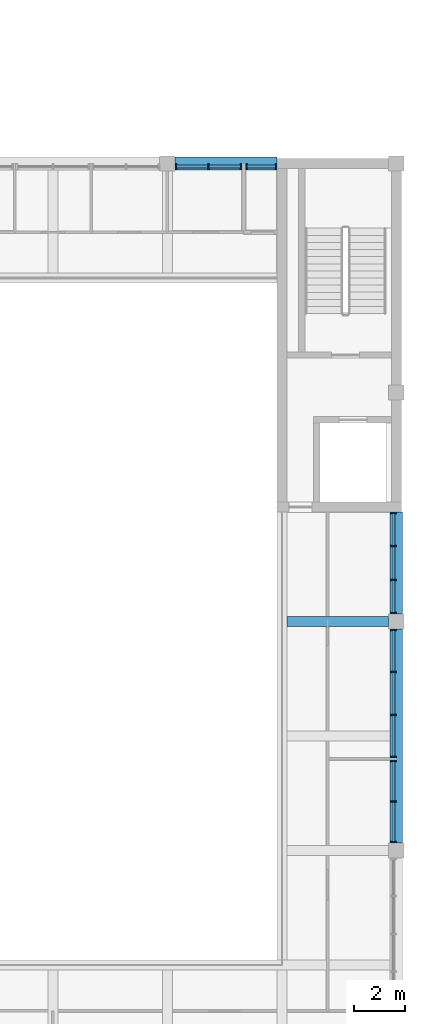
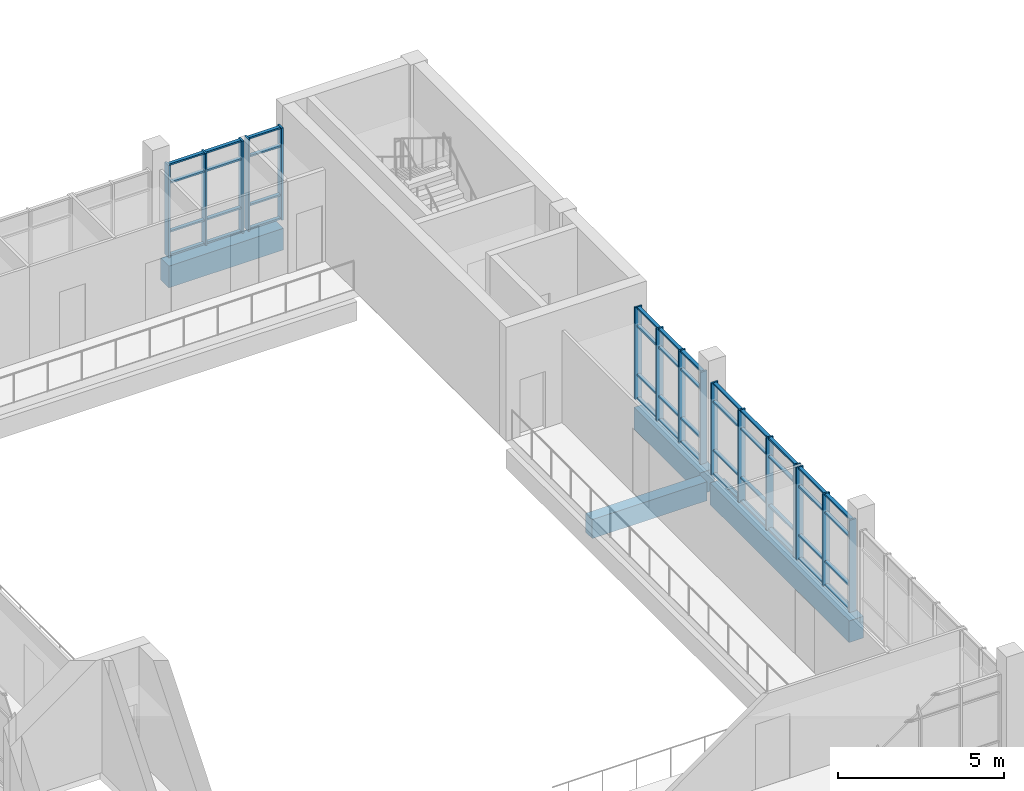
# One storey, part 13 of 88: 60 members, 4 beams, 5 elements without a shape of their own.
"""IFC4 building model written with IfcOpenShell, lengths in metres."""

from ifc_helpers import new_model, si_unit, direction, frame, origin, origin_2d, place, context, subcontext, project, spatial, rectangle, extrude, material, material_profile, profile_set, type_object, element, aggregate, save


model = new_model("IFC4")

# Units and contexts
model_context = context("Model", 3, precision=1e-05, world=origin(), true_north=direction((0.0, 1.0)))
body_context = subcontext(model_context, "Body", "Model", "MODEL_VIEW")
ifc_project = project(units=[si_unit("LENGTHUNIT", "METRE"), si_unit("AREAUNIT", "SQUARE_METRE"), si_unit("VOLUMEUNIT", "CUBIC_METRE"), si_unit("PLANEANGLEUNIT", "RADIAN"), si_unit("MASSUNIT", "GRAM", prefix="KILO")], contexts=[model_context])

# Site, building, storey
site_placement = place(None, origin())
site = spatial("IfcSite", under=ifc_project, at=site_placement, CompositionType="ELEMENT")
building_placement = place(site_placement, origin())
building = spatial("IfcBuilding", under=site, at=building_placement, Name="Merrow Basin Faculty of Sciences", CompositionType="ELEMENT")
storey_placement = place(building_placement, frame((0.0, 0.0, 9.0)))
storey = spatial("IfcBuildingStorey", under=building, at=storey_placement, Name="L02", CompositionType="ELEMENT", Elevation=9.0)

# Curtain wall, members
ifc_material_1 = material(Name="Aluminium alloy 6063", Category="aluminium")
curtain_wall_type = type_object("IfcCurtainWallType", Name="Atrium unitised curtain wall 240", PredefinedType="NOTDEFINED", material=ifc_material_1)
curtain_wall_1_placement = place(storey_placement, origin())
curtain_wall_1 = element("IfcCurtainWall", 1, at=curtain_wall_1_placement, inside=storey, type_object=curtain_wall_type, Name="N curtain wall L02 6", PredefinedType="NOTDEFINED")
ifc_material_2 = material(Name="Aluminium alloy 6063", Category="aluminium")
ifc_material_profile_1 = material_profile(ifc_material_2, rectangle(XDim=0.239990234375, YDim=0.06005859375, at=origin_2d()))
ifc_profile_set_1 = profile_set([ifc_material_profile_1], Name="Aluminium alloy 6063")
member_type_1 = type_object("IfcMemberType", Name="Aluminium mullion 60x240", PredefinedType="MULLION", material=ifc_profile_set_1)
member_1_placement = place(storey_placement, frame((63.330078125, 35.8798828125, 0.0), z_axis=(0.0, 0.0, 1.0), x_axis=(0.0, 1.0, 0.0)))
member_1 = element("IfcMember", 2, at=member_1_placement, type_object=member_type_1, Name="CW5 mullion 1", PredefinedType="MULLION", context=body_context, shape_type="SweptSolid", body=[
    extrude(rectangle(XDim=0.239990234375, YDim=0.06005859375, at=origin_2d()), origin(), (0.0, 0.0, 1.0), 3.39990234375),
])
member_2_placement = place(storey_placement, frame((64.612548828125, 35.8798828125, 0.0), z_axis=(0.0, 0.0, 1.0), x_axis=(0.0, 1.0, 0.0)))
member_2 = element("IfcMember", 3, at=member_2_placement, type_object=member_type_1, Name="CW5 mullion 2", PredefinedType="MULLION", context=body_context, shape_type="SweptSolid", body=[
    extrude(rectangle(XDim=0.239990234375, YDim=0.06005859375, at=origin_2d()), origin(), (0.0, 0.0, 1.0), 3.39990234375),
])
member_3_placement = place(storey_placement, frame((65.89501953125, 35.8798828125, 0.0), z_axis=(0.0, 0.0, 1.0), x_axis=(0.0, 1.0, 0.0)))
member_3 = element("IfcMember", 4, at=member_3_placement, type_object=member_type_1, Name="CW5 mullion 3", PredefinedType="MULLION", context=body_context, shape_type="SweptSolid", body=[
    extrude(rectangle(XDim=0.239990234375, YDim=0.06005859375, at=origin_2d()), origin(), (0.0, 0.0, 1.0), 3.39990234375),
])

curtain_wall_2_placement = place(storey_placement, origin())
curtain_wall_2 = element("IfcCurtainWall", 5, at=curtain_wall_2_placement, inside=storey, type_object=curtain_wall_type, Name="N curtain wall L02 7", PredefinedType="NOTDEFINED")
member_4_placement = place(storey_placement, frame((66.10498046875, 35.8798828125, 0.0), z_axis=(0.0, 0.0, 1.0), x_axis=(0.0, 1.0, 0.0)))
member_4 = element("IfcMember", 6, at=member_4_placement, type_object=member_type_1, Name="CW5 mullion 1", PredefinedType="MULLION", context=body_context, shape_type="SweptSolid", body=[
    extrude(rectangle(XDim=0.239990234375, YDim=0.06005859375, at=origin_2d()), origin(), (0.0, 0.0, 1.0), 3.39990234375),
])
member_5_placement = place(storey_placement, frame((67.27001953125, 35.8798828125, 0.0), z_axis=(0.0, 0.0, 1.0), x_axis=(0.0, 1.0, 0.0)))
member_5 = element("IfcMember", 7, at=member_5_placement, type_object=member_type_1, Name="CW5 mullion 2", PredefinedType="MULLION", context=body_context, shape_type="SweptSolid", body=[
    extrude(rectangle(XDim=0.239990234375, YDim=0.06005859375, at=origin_2d()), origin(), (0.0, 0.0, 1.0), 3.39990234375),
])

curtain_wall_3_placement = place(storey_placement, origin())
curtain_wall_3 = element("IfcCurtainWall", 8, at=curtain_wall_3_placement, inside=storey, type_object=curtain_wall_type, Name="E curtain wall L02 3", PredefinedType="NOTDEFINED")
member_6_placement = place(storey_placement, frame((71.8798828125, 9.330078125, 0.0), z_axis=(0.0, 0.0, 1.0), x_axis=(-1.0, 0.0, 0.0)))
member_6 = element("IfcMember", 9, at=member_6_placement, type_object=member_type_1, Name="CW5 mullion 1", PredefinedType="MULLION", context=body_context, shape_type="SweptSolid", body=[
    extrude(rectangle(XDim=0.239990234375, YDim=0.06005859375, at=origin_2d()), origin(), (0.0, 0.0, 1.0), 3.39990234375),
])
member_7_placement = place(storey_placement, frame((71.8798828125, 10.925048828125, 0.0), z_axis=(0.0, 0.0, 1.0), x_axis=(-1.0, 0.0, 0.0)))
member_7 = element("IfcMember", 10, at=member_7_placement, type_object=member_type_1, Name="CW5 mullion 2", PredefinedType="MULLION", context=body_context, shape_type="SweptSolid", body=[
    extrude(rectangle(XDim=0.239990234375, YDim=0.06005859375, at=origin_2d()), origin(), (0.0, 0.0, 1.0), 3.39990234375),
])
member_8_placement = place(storey_placement, frame((71.8798828125, 12.52001953125, 0.0), z_axis=(0.0, 0.0, 1.0), x_axis=(-1.0, 0.0, 0.0)))
member_8 = element("IfcMember", 11, at=member_8_placement, type_object=member_type_1, Name="CW5 mullion 3", PredefinedType="MULLION", context=body_context, shape_type="SweptSolid", body=[
    extrude(rectangle(XDim=0.239990234375, YDim=0.06005859375, at=origin_2d()), origin(), (0.0, 0.0, 1.0), 3.39990234375),
])

curtain_wall_4_placement = place(storey_placement, origin())
curtain_wall_4 = element("IfcCurtainWall", 12, at=curtain_wall_4_placement, inside=storey, type_object=curtain_wall_type, Name="E curtain wall L02 4", PredefinedType="NOTDEFINED")
member_9_placement = place(storey_placement, frame((71.8798828125, 12.679931640625, 0.0), z_axis=(0.0, 0.0, 1.0), x_axis=(-1.0, 0.0, 0.0)))
member_9 = element("IfcMember", 13, at=member_9_placement, type_object=member_type_1, Name="CW5 mullion 1", PredefinedType="MULLION", context=body_context, shape_type="SweptSolid", body=[
    extrude(rectangle(XDim=0.239990234375, YDim=0.06005859375, at=origin_2d()), origin(), (0.0, 0.0, 1.0), 3.39990234375),
])
member_10_placement = place(storey_placement, frame((71.8798828125, 14.333251953125, 0.0), z_axis=(0.0, 0.0, 1.0), x_axis=(-1.0, 0.0, 0.0)))
member_10 = element("IfcMember", 14, at=member_10_placement, type_object=member_type_1, Name="CW5 mullion 2", PredefinedType="MULLION", context=body_context, shape_type="SweptSolid", body=[
    extrude(rectangle(XDim=0.239990234375, YDim=0.06005859375, at=origin_2d()), origin(), (0.0, 0.0, 1.0), 3.39990234375),
])
member_11_placement = place(storey_placement, frame((71.8798828125, 16.0166015625, 0.0), z_axis=(0.0, 0.0, 1.0), x_axis=(-1.0, 0.0, 0.0)))
member_11 = element("IfcMember", 15, at=member_11_placement, type_object=member_type_1, Name="CW5 mullion 3", PredefinedType="MULLION", context=body_context, shape_type="SweptSolid", body=[
    extrude(rectangle(XDim=0.239990234375, YDim=0.06005859375, at=origin_2d()), origin(), (0.0, 0.0, 1.0), 3.39990234375),
])
member_12_placement = place(storey_placement, frame((71.8798828125, 17.669921875, 0.0), z_axis=(0.0, 0.0, 1.0), x_axis=(-1.0, 0.0, 0.0)))
member_12 = element("IfcMember", 16, at=member_12_placement, type_object=member_type_1, Name="CW5 mullion 4", PredefinedType="MULLION", context=body_context, shape_type="SweptSolid", body=[
    extrude(rectangle(XDim=0.239990234375, YDim=0.06005859375, at=origin_2d()), origin(), (0.0, 0.0, 1.0), 3.39990234375),
])

curtain_wall_5_placement = place(storey_placement, origin())
curtain_wall_5 = element("IfcCurtainWall", 17, at=curtain_wall_5_placement, inside=storey, type_object=curtain_wall_type, Name="E curtain wall L02 5", PredefinedType="NOTDEFINED")
member_13_placement = place(storey_placement, frame((71.8798828125, 18.330078125, 0.0), z_axis=(0.0, 0.0, 1.0), x_axis=(-1.0, 0.0, 0.0)))
member_13 = element("IfcMember", 18, at=member_13_placement, type_object=member_type_1, Name="CW5 mullion 1", PredefinedType="MULLION", context=body_context, shape_type="SweptSolid", body=[
    extrude(rectangle(XDim=0.239990234375, YDim=0.06005859375, at=origin_2d()), origin(), (0.0, 0.0, 1.0), 3.39990234375),
])
member_14_placement = place(storey_placement, frame((71.8798828125, 19.63330078125, 0.0), z_axis=(0.0, 0.0, 1.0), x_axis=(-1.0, 0.0, 0.0)))
member_14 = element("IfcMember", 19, at=member_14_placement, type_object=member_type_1, Name="CW5 mullion 2", PredefinedType="MULLION", context=body_context, shape_type="SweptSolid", body=[
    extrude(rectangle(XDim=0.239990234375, YDim=0.06005859375, at=origin_2d()), origin(), (0.0, 0.0, 1.0), 3.39990234375),
])
member_15_placement = place(storey_placement, frame((71.8798828125, 20.966552734375, 0.0), z_axis=(0.0, 0.0, 1.0), x_axis=(-1.0, 0.0, 0.0)))
member_15 = element("IfcMember", 20, at=member_15_placement, type_object=member_type_1, Name="CW5 mullion 3", PredefinedType="MULLION", context=body_context, shape_type="SweptSolid", body=[
    extrude(rectangle(XDim=0.239990234375, YDim=0.06005859375, at=origin_2d()), origin(), (0.0, 0.0, 1.0), 3.39990234375),
])
member_16_placement = place(storey_placement, frame((71.8798828125, 22.27001953125, 0.0), z_axis=(0.0, 0.0, 1.0), x_axis=(-1.0, 0.0, 0.0)))
member_16 = element("IfcMember", 21, at=member_16_placement, type_object=member_type_1, Name="CW5 mullion 4", PredefinedType="MULLION", context=body_context, shape_type="SweptSolid", body=[
    extrude(rectangle(XDim=0.239990234375, YDim=0.06005859375, at=origin_2d()), origin(), (0.0, 0.0, 1.0), 3.39990234375),
])

# Member
ifc_material_3 = material(Name="Aluminium alloy 6063", Category="aluminium")
ifc_material_profile_2 = material_profile(ifc_material_3, rectangle(XDim=0.1201171875, YDim=0.06005859375, at=origin_2d()))
ifc_profile_set_2 = profile_set([ifc_material_profile_2], Name="Aluminium alloy 6063")
member_type_2 = type_object("IfcMemberType", Name="Aluminium transom 60x120", PredefinedType="USERDEFINED", material=ifc_profile_set_2)
member_17_placement = place(storey_placement, frame((63.360107421875, 35.8798828125, 0.030029296875), z_axis=(1.0, 0.0, 0.0), x_axis=(0.0, 1.0, 0.0)))
member_17 = element("IfcMember", 22, at=member_17_placement, type_object=member_type_2, Name="CW5 transom 1.1", ObjectType="TRANSOM", PredefinedType="USERDEFINED", context=body_context, shape_type="SweptSolid", body=[
    extrude(rectangle(XDim=0.1201171875, YDim=0.06005859375, at=origin_2d()), origin(), (0.0, 0.0, 1.0), 1.222412109375),
])

member_18_placement = place(storey_placement, frame((63.360107421875, 35.8798828125, 0.89990234375), z_axis=(1.0, 0.0, 0.0), x_axis=(0.0, 1.0, 0.0)))
member_18 = element("IfcMember", 23, at=member_18_placement, type_object=member_type_2, Name="CW5 transom 1.2", ObjectType="TRANSOM", PredefinedType="USERDEFINED", context=body_context, shape_type="SweptSolid", body=[
    extrude(rectangle(XDim=0.1201171875, YDim=0.06005859375, at=origin_2d()), origin(), (0.0, 0.0, 1.0), 1.222412109375),
])

member_19_placement = place(storey_placement, frame((63.360107421875, 35.8798828125, 2.699951171875), z_axis=(1.0, 0.0, 0.0), x_axis=(0.0, 1.0, 0.0)))
member_19 = element("IfcMember", 24, at=member_19_placement, type_object=member_type_2, Name="CW5 transom 1.3", ObjectType="TRANSOM", PredefinedType="USERDEFINED", context=body_context, shape_type="SweptSolid", body=[
    extrude(rectangle(XDim=0.1201171875, YDim=0.06005859375, at=origin_2d()), origin(), (0.0, 0.0, 1.0), 1.222412109375),
])

member_20_placement = place(storey_placement, frame((63.360107421875, 35.8798828125, 3.3701171875), z_axis=(1.0, 0.0, 0.0), x_axis=(0.0, 1.0, 0.0)))
member_20 = element("IfcMember", 25, at=member_20_placement, type_object=member_type_2, Name="CW5 transom 1.4", ObjectType="TRANSOM", PredefinedType="USERDEFINED", context=body_context, shape_type="SweptSolid", body=[
    extrude(rectangle(XDim=0.1201171875, YDim=0.06005859375, at=origin_2d()), origin(), (0.0, 0.0, 1.0), 1.222412109375),
])

member_21_placement = place(storey_placement, frame((64.642578125, 35.8798828125, 0.030029296875), z_axis=(1.0, 0.0, 0.0), x_axis=(0.0, 1.0, 0.0)))
member_21 = element("IfcMember", 26, at=member_21_placement, type_object=member_type_2, Name="CW5 transom 2.1", ObjectType="TRANSOM", PredefinedType="USERDEFINED", context=body_context, shape_type="SweptSolid", body=[
    extrude(rectangle(XDim=0.1201171875, YDim=0.06005859375, at=origin_2d()), origin(), (0.0, 0.0, 1.0), 1.222412109375),
])

member_22_placement = place(storey_placement, frame((64.642578125, 35.8798828125, 0.89990234375), z_axis=(1.0, 0.0, 0.0), x_axis=(0.0, 1.0, 0.0)))
member_22 = element("IfcMember", 27, at=member_22_placement, type_object=member_type_2, Name="CW5 transom 2.2", ObjectType="TRANSOM", PredefinedType="USERDEFINED", context=body_context, shape_type="SweptSolid", body=[
    extrude(rectangle(XDim=0.1201171875, YDim=0.06005859375, at=origin_2d()), origin(), (0.0, 0.0, 1.0), 1.222412109375),
])

member_23_placement = place(storey_placement, frame((64.642578125, 35.8798828125, 2.699951171875), z_axis=(1.0, 0.0, 0.0), x_axis=(0.0, 1.0, 0.0)))
member_23 = element("IfcMember", 28, at=member_23_placement, type_object=member_type_2, Name="CW5 transom 2.3", ObjectType="TRANSOM", PredefinedType="USERDEFINED", context=body_context, shape_type="SweptSolid", body=[
    extrude(rectangle(XDim=0.1201171875, YDim=0.06005859375, at=origin_2d()), origin(), (0.0, 0.0, 1.0), 1.222412109375),
])

member_24_placement = place(storey_placement, frame((64.642578125, 35.8798828125, 3.3701171875), z_axis=(1.0, 0.0, 0.0), x_axis=(0.0, 1.0, 0.0)))
member_24 = element("IfcMember", 29, at=member_24_placement, type_object=member_type_2, Name="CW5 transom 2.4", ObjectType="TRANSOM", PredefinedType="USERDEFINED", context=body_context, shape_type="SweptSolid", body=[
    extrude(rectangle(XDim=0.1201171875, YDim=0.06005859375, at=origin_2d()), origin(), (0.0, 0.0, 1.0), 1.222412109375),
])

aggregate(curtain_wall_1, [member_1, member_2, member_3, member_17, member_18, member_19, member_20, member_21, member_22, member_23, member_24])

member_25_placement = place(storey_placement, frame((66.135009765625, 35.8798828125, 0.030029296875), z_axis=(1.0, 0.0, 0.0), x_axis=(0.0, 1.0, 0.0)))
member_25 = element("IfcMember", 30, at=member_25_placement, type_object=member_type_2, Name="CW5 transom 1.1", ObjectType="TRANSOM", PredefinedType="USERDEFINED", context=body_context, shape_type="SweptSolid", body=[
    extrude(rectangle(XDim=0.1201171875, YDim=0.06005859375, at=origin_2d()), origin(), (0.0, 0.0, 1.0), 1.10498046875),
])

member_26_placement = place(storey_placement, frame((66.135009765625, 35.8798828125, 0.89990234375), z_axis=(1.0, 0.0, 0.0), x_axis=(0.0, 1.0, 0.0)))
member_26 = element("IfcMember", 31, at=member_26_placement, type_object=member_type_2, Name="CW5 transom 1.2", ObjectType="TRANSOM", PredefinedType="USERDEFINED", context=body_context, shape_type="SweptSolid", body=[
    extrude(rectangle(XDim=0.1201171875, YDim=0.06005859375, at=origin_2d()), origin(), (0.0, 0.0, 1.0), 1.10498046875),
])

member_27_placement = place(storey_placement, frame((66.135009765625, 35.8798828125, 2.699951171875), z_axis=(1.0, 0.0, 0.0), x_axis=(0.0, 1.0, 0.0)))
member_27 = element("IfcMember", 32, at=member_27_placement, type_object=member_type_2, Name="CW5 transom 1.3", ObjectType="TRANSOM", PredefinedType="USERDEFINED", context=body_context, shape_type="SweptSolid", body=[
    extrude(rectangle(XDim=0.1201171875, YDim=0.06005859375, at=origin_2d()), origin(), (0.0, 0.0, 1.0), 1.10498046875),
])

member_28_placement = place(storey_placement, frame((66.135009765625, 35.8798828125, 3.3701171875), z_axis=(1.0, 0.0, 0.0), x_axis=(0.0, 1.0, 0.0)))
member_28 = element("IfcMember", 33, at=member_28_placement, type_object=member_type_2, Name="CW5 transom 1.4", ObjectType="TRANSOM", PredefinedType="USERDEFINED", context=body_context, shape_type="SweptSolid", body=[
    extrude(rectangle(XDim=0.1201171875, YDim=0.06005859375, at=origin_2d()), origin(), (0.0, 0.0, 1.0), 1.10498046875),
])

aggregate(curtain_wall_2, [member_4, member_5, member_25, member_26, member_27, member_28])

member_29_placement = place(storey_placement, frame((71.8798828125, 9.360107421875, 0.030029296875), z_axis=(0.0, 1.0, 0.0), x_axis=(-1.0, 0.0, 0.0)))
member_29 = element("IfcMember", 34, at=member_29_placement, type_object=member_type_2, Name="CW5 transom 1.1", ObjectType="TRANSOM", PredefinedType="USERDEFINED", context=body_context, shape_type="SweptSolid", body=[
    extrude(rectangle(XDim=0.1201171875, YDim=0.06005859375, at=origin_2d()), origin(), (0.0, 0.0, 1.0), 1.534912109375),
])

member_30_placement = place(storey_placement, frame((71.8798828125, 9.360107421875, 0.89990234375), z_axis=(0.0, 1.0, 0.0), x_axis=(-1.0, 0.0, 0.0)))
member_30 = element("IfcMember", 35, at=member_30_placement, type_object=member_type_2, Name="CW5 transom 1.2", ObjectType="TRANSOM", PredefinedType="USERDEFINED", context=body_context, shape_type="SweptSolid", body=[
    extrude(rectangle(XDim=0.1201171875, YDim=0.06005859375, at=origin_2d()), origin(), (0.0, 0.0, 1.0), 1.534912109375),
])

member_31_placement = place(storey_placement, frame((71.8798828125, 9.360107421875, 2.699951171875), z_axis=(0.0, 1.0, 0.0), x_axis=(-1.0, 0.0, 0.0)))
member_31 = element("IfcMember", 36, at=member_31_placement, type_object=member_type_2, Name="CW5 transom 1.3", ObjectType="TRANSOM", PredefinedType="USERDEFINED", context=body_context, shape_type="SweptSolid", body=[
    extrude(rectangle(XDim=0.1201171875, YDim=0.06005859375, at=origin_2d()), origin(), (0.0, 0.0, 1.0), 1.534912109375),
])

member_32_placement = place(storey_placement, frame((71.8798828125, 9.360107421875, 3.3701171875), z_axis=(0.0, 1.0, 0.0), x_axis=(-1.0, 0.0, 0.0)))
member_32 = element("IfcMember", 37, at=member_32_placement, type_object=member_type_2, Name="CW5 transom 1.4", ObjectType="TRANSOM", PredefinedType="USERDEFINED", context=body_context, shape_type="SweptSolid", body=[
    extrude(rectangle(XDim=0.1201171875, YDim=0.06005859375, at=origin_2d()), origin(), (0.0, 0.0, 1.0), 1.534912109375),
])

member_33_placement = place(storey_placement, frame((71.8798828125, 10.955078125, 0.030029296875), z_axis=(0.0, 1.0, 0.0), x_axis=(-1.0, 0.0, 0.0)))
member_33 = element("IfcMember", 38, at=member_33_placement, type_object=member_type_2, Name="CW5 transom 2.1", ObjectType="TRANSOM", PredefinedType="USERDEFINED", context=body_context, shape_type="SweptSolid", body=[
    extrude(rectangle(XDim=0.1201171875, YDim=0.06005859375, at=origin_2d()), origin(), (0.0, 0.0, 1.0), 1.534912109375),
])

member_34_placement = place(storey_placement, frame((71.8798828125, 10.955078125, 0.89990234375), z_axis=(0.0, 1.0, 0.0), x_axis=(-1.0, 0.0, 0.0)))
member_34 = element("IfcMember", 39, at=member_34_placement, type_object=member_type_2, Name="CW5 transom 2.2", ObjectType="TRANSOM", PredefinedType="USERDEFINED", context=body_context, shape_type="SweptSolid", body=[
    extrude(rectangle(XDim=0.1201171875, YDim=0.06005859375, at=origin_2d()), origin(), (0.0, 0.0, 1.0), 1.534912109375),
])

member_35_placement = place(storey_placement, frame((71.8798828125, 10.955078125, 2.699951171875), z_axis=(0.0, 1.0, 0.0), x_axis=(-1.0, 0.0, 0.0)))
member_35 = element("IfcMember", 40, at=member_35_placement, type_object=member_type_2, Name="CW5 transom 2.3", ObjectType="TRANSOM", PredefinedType="USERDEFINED", context=body_context, shape_type="SweptSolid", body=[
    extrude(rectangle(XDim=0.1201171875, YDim=0.06005859375, at=origin_2d()), origin(), (0.0, 0.0, 1.0), 1.534912109375),
])

member_36_placement = place(storey_placement, frame((71.8798828125, 10.955078125, 3.3701171875), z_axis=(0.0, 1.0, 0.0), x_axis=(-1.0, 0.0, 0.0)))
member_36 = element("IfcMember", 41, at=member_36_placement, type_object=member_type_2, Name="CW5 transom 2.4", ObjectType="TRANSOM", PredefinedType="USERDEFINED", context=body_context, shape_type="SweptSolid", body=[
    extrude(rectangle(XDim=0.1201171875, YDim=0.06005859375, at=origin_2d()), origin(), (0.0, 0.0, 1.0), 1.534912109375),
])

aggregate(curtain_wall_3, [member_6, member_7, member_8, member_29, member_30, member_31, member_32, member_33, member_34, member_35, member_36])

member_37_placement = place(storey_placement, frame((71.8798828125, 12.7099609375, 0.030029296875), z_axis=(0.0, 1.0, 0.0), x_axis=(-1.0, 0.0, 0.0)))
member_37 = element("IfcMember", 42, at=member_37_placement, type_object=member_type_2, Name="CW5 transom 1.1", ObjectType="TRANSOM", PredefinedType="USERDEFINED", context=body_context, shape_type="SweptSolid", body=[
    extrude(rectangle(XDim=0.1201171875, YDim=0.06005859375, at=origin_2d()), origin(), (0.0, 0.0, 1.0), 1.59326171875),
])

member_38_placement = place(storey_placement, frame((71.8798828125, 12.7099609375, 0.89990234375), z_axis=(0.0, 1.0, 0.0), x_axis=(-1.0, 0.0, 0.0)))
member_38 = element("IfcMember", 43, at=member_38_placement, type_object=member_type_2, Name="CW5 transom 1.2", ObjectType="TRANSOM", PredefinedType="USERDEFINED", context=body_context, shape_type="SweptSolid", body=[
    extrude(rectangle(XDim=0.1201171875, YDim=0.06005859375, at=origin_2d()), origin(), (0.0, 0.0, 1.0), 1.59326171875),
])

member_39_placement = place(storey_placement, frame((71.8798828125, 12.7099609375, 2.699951171875), z_axis=(0.0, 1.0, 0.0), x_axis=(-1.0, 0.0, 0.0)))
member_39 = element("IfcMember", 44, at=member_39_placement, type_object=member_type_2, Name="CW5 transom 1.3", ObjectType="TRANSOM", PredefinedType="USERDEFINED", context=body_context, shape_type="SweptSolid", body=[
    extrude(rectangle(XDim=0.1201171875, YDim=0.06005859375, at=origin_2d()), origin(), (0.0, 0.0, 1.0), 1.59326171875),
])

member_40_placement = place(storey_placement, frame((71.8798828125, 12.7099609375, 3.3701171875), z_axis=(0.0, 1.0, 0.0), x_axis=(-1.0, 0.0, 0.0)))
member_40 = element("IfcMember", 45, at=member_40_placement, type_object=member_type_2, Name="CW5 transom 1.4", ObjectType="TRANSOM", PredefinedType="USERDEFINED", context=body_context, shape_type="SweptSolid", body=[
    extrude(rectangle(XDim=0.1201171875, YDim=0.06005859375, at=origin_2d()), origin(), (0.0, 0.0, 1.0), 1.59326171875),
])

member_41_placement = place(storey_placement, frame((71.8798828125, 14.36328125, 0.030029296875), z_axis=(0.0, 1.0, 0.0), x_axis=(-1.0, 0.0, 0.0)))
member_41 = element("IfcMember", 46, at=member_41_placement, type_object=member_type_2, Name="CW5 transom 2.1", ObjectType="TRANSOM", PredefinedType="USERDEFINED", context=body_context, shape_type="SweptSolid", body=[
    extrude(rectangle(XDim=0.1201171875, YDim=0.06005859375, at=origin_2d()), origin(), (0.0, 0.0, 1.0), 1.623291015625),
])

member_42_placement = place(storey_placement, frame((71.8798828125, 14.36328125, 0.89990234375), z_axis=(0.0, 1.0, 0.0), x_axis=(-1.0, 0.0, 0.0)))
member_42 = element("IfcMember", 47, at=member_42_placement, type_object=member_type_2, Name="CW5 transom 2.2", ObjectType="TRANSOM", PredefinedType="USERDEFINED", context=body_context, shape_type="SweptSolid", body=[
    extrude(rectangle(XDim=0.1201171875, YDim=0.06005859375, at=origin_2d()), origin(), (0.0, 0.0, 1.0), 1.623291015625),
])

member_43_placement = place(storey_placement, frame((71.8798828125, 14.36328125, 2.699951171875), z_axis=(0.0, 1.0, 0.0), x_axis=(-1.0, 0.0, 0.0)))
member_43 = element("IfcMember", 48, at=member_43_placement, type_object=member_type_2, Name="CW5 transom 2.3", ObjectType="TRANSOM", PredefinedType="USERDEFINED", context=body_context, shape_type="SweptSolid", body=[
    extrude(rectangle(XDim=0.1201171875, YDim=0.06005859375, at=origin_2d()), origin(), (0.0, 0.0, 1.0), 1.623291015625),
])

member_44_placement = place(storey_placement, frame((71.8798828125, 14.36328125, 3.3701171875), z_axis=(0.0, 1.0, 0.0), x_axis=(-1.0, 0.0, 0.0)))
member_44 = element("IfcMember", 49, at=member_44_placement, type_object=member_type_2, Name="CW5 transom 2.4", ObjectType="TRANSOM", PredefinedType="USERDEFINED", context=body_context, shape_type="SweptSolid", body=[
    extrude(rectangle(XDim=0.1201171875, YDim=0.06005859375, at=origin_2d()), origin(), (0.0, 0.0, 1.0), 1.623291015625),
])

member_45_placement = place(storey_placement, frame((71.8798828125, 16.046630859375, 0.030029296875), z_axis=(0.0, 1.0, 0.0), x_axis=(-1.0, 0.0, 0.0)))
member_45 = element("IfcMember", 50, at=member_45_placement, type_object=member_type_2, Name="CW5 transom 3.1", ObjectType="TRANSOM", PredefinedType="USERDEFINED", context=body_context, shape_type="SweptSolid", body=[
    extrude(rectangle(XDim=0.1201171875, YDim=0.06005859375, at=origin_2d()), origin(), (0.0, 0.0, 1.0), 1.59326171875),
])

member_46_placement = place(storey_placement, frame((71.8798828125, 16.046630859375, 0.89990234375), z_axis=(0.0, 1.0, 0.0), x_axis=(-1.0, 0.0, 0.0)))
member_46 = element("IfcMember", 51, at=member_46_placement, type_object=member_type_2, Name="CW5 transom 3.2", ObjectType="TRANSOM", PredefinedType="USERDEFINED", context=body_context, shape_type="SweptSolid", body=[
    extrude(rectangle(XDim=0.1201171875, YDim=0.06005859375, at=origin_2d()), origin(), (0.0, 0.0, 1.0), 1.59326171875),
])

member_47_placement = place(storey_placement, frame((71.8798828125, 16.046630859375, 2.699951171875), z_axis=(0.0, 1.0, 0.0), x_axis=(-1.0, 0.0, 0.0)))
member_47 = element("IfcMember", 52, at=member_47_placement, type_object=member_type_2, Name="CW5 transom 3.3", ObjectType="TRANSOM", PredefinedType="USERDEFINED", context=body_context, shape_type="SweptSolid", body=[
    extrude(rectangle(XDim=0.1201171875, YDim=0.06005859375, at=origin_2d()), origin(), (0.0, 0.0, 1.0), 1.59326171875),
])

member_48_placement = place(storey_placement, frame((71.8798828125, 16.046630859375, 3.3701171875), z_axis=(0.0, 1.0, 0.0), x_axis=(-1.0, 0.0, 0.0)))
member_48 = element("IfcMember", 53, at=member_48_placement, type_object=member_type_2, Name="CW5 transom 3.4", ObjectType="TRANSOM", PredefinedType="USERDEFINED", context=body_context, shape_type="SweptSolid", body=[
    extrude(rectangle(XDim=0.1201171875, YDim=0.06005859375, at=origin_2d()), origin(), (0.0, 0.0, 1.0), 1.59326171875),
])

aggregate(curtain_wall_4, [member_9, member_10, member_11, member_12, member_37, member_38, member_39, member_40, member_41, member_42, member_43, member_44, member_45, member_46, member_47, member_48])

member_49_placement = place(storey_placement, frame((71.8798828125, 18.360107421875, 0.030029296875), z_axis=(0.0, 1.0, 0.0), x_axis=(-1.0, 0.0, 0.0)))
member_49 = element("IfcMember", 54, at=member_49_placement, type_object=member_type_2, Name="CW5 transom 1.1", ObjectType="TRANSOM", PredefinedType="USERDEFINED", context=body_context, shape_type="SweptSolid", body=[
    extrude(rectangle(XDim=0.1201171875, YDim=0.06005859375, at=origin_2d()), origin(), (0.0, 0.0, 1.0), 1.2431640625),
])

member_50_placement = place(storey_placement, frame((71.8798828125, 18.360107421875, 0.89990234375), z_axis=(0.0, 1.0, 0.0), x_axis=(-1.0, 0.0, 0.0)))
member_50 = element("IfcMember", 55, at=member_50_placement, type_object=member_type_2, Name="CW5 transom 1.2", ObjectType="TRANSOM", PredefinedType="USERDEFINED", context=body_context, shape_type="SweptSolid", body=[
    extrude(rectangle(XDim=0.1201171875, YDim=0.06005859375, at=origin_2d()), origin(), (0.0, 0.0, 1.0), 1.2431640625),
])

member_51_placement = place(storey_placement, frame((71.8798828125, 18.360107421875, 2.699951171875), z_axis=(0.0, 1.0, 0.0), x_axis=(-1.0, 0.0, 0.0)))
member_51 = element("IfcMember", 56, at=member_51_placement, type_object=member_type_2, Name="CW5 transom 1.3", ObjectType="TRANSOM", PredefinedType="USERDEFINED", context=body_context, shape_type="SweptSolid", body=[
    extrude(rectangle(XDim=0.1201171875, YDim=0.06005859375, at=origin_2d()), origin(), (0.0, 0.0, 1.0), 1.2431640625),
])

member_52_placement = place(storey_placement, frame((71.8798828125, 18.360107421875, 3.3701171875), z_axis=(0.0, 1.0, 0.0), x_axis=(-1.0, 0.0, 0.0)))
member_52 = element("IfcMember", 57, at=member_52_placement, type_object=member_type_2, Name="CW5 transom 1.4", ObjectType="TRANSOM", PredefinedType="USERDEFINED", context=body_context, shape_type="SweptSolid", body=[
    extrude(rectangle(XDim=0.1201171875, YDim=0.06005859375, at=origin_2d()), origin(), (0.0, 0.0, 1.0), 1.2431640625),
])

member_53_placement = place(storey_placement, frame((71.8798828125, 19.663330078125, 0.030029296875), z_axis=(0.0, 1.0, 0.0), x_axis=(-1.0, 0.0, 0.0)))
member_53 = element("IfcMember", 58, at=member_53_placement, type_object=member_type_2, Name="CW5 transom 2.1", ObjectType="TRANSOM", PredefinedType="USERDEFINED", context=body_context, shape_type="SweptSolid", body=[
    extrude(rectangle(XDim=0.1201171875, YDim=0.06005859375, at=origin_2d()), origin(), (0.0, 0.0, 1.0), 1.2734375),
])

member_54_placement = place(storey_placement, frame((71.8798828125, 19.663330078125, 0.89990234375), z_axis=(0.0, 1.0, 0.0), x_axis=(-1.0, 0.0, 0.0)))
member_54 = element("IfcMember", 59, at=member_54_placement, type_object=member_type_2, Name="CW5 transom 2.2", ObjectType="TRANSOM", PredefinedType="USERDEFINED", context=body_context, shape_type="SweptSolid", body=[
    extrude(rectangle(XDim=0.1201171875, YDim=0.06005859375, at=origin_2d()), origin(), (0.0, 0.0, 1.0), 1.2734375),
])

member_55_placement = place(storey_placement, frame((71.8798828125, 19.663330078125, 2.699951171875), z_axis=(0.0, 1.0, 0.0), x_axis=(-1.0, 0.0, 0.0)))
member_55 = element("IfcMember", 60, at=member_55_placement, type_object=member_type_2, Name="CW5 transom 2.3", ObjectType="TRANSOM", PredefinedType="USERDEFINED", context=body_context, shape_type="SweptSolid", body=[
    extrude(rectangle(XDim=0.1201171875, YDim=0.06005859375, at=origin_2d()), origin(), (0.0, 0.0, 1.0), 1.2734375),
])

member_56_placement = place(storey_placement, frame((71.8798828125, 19.663330078125, 3.3701171875), z_axis=(0.0, 1.0, 0.0), x_axis=(-1.0, 0.0, 0.0)))
member_56 = element("IfcMember", 61, at=member_56_placement, type_object=member_type_2, Name="CW5 transom 2.4", ObjectType="TRANSOM", PredefinedType="USERDEFINED", context=body_context, shape_type="SweptSolid", body=[
    extrude(rectangle(XDim=0.1201171875, YDim=0.06005859375, at=origin_2d()), origin(), (0.0, 0.0, 1.0), 1.2734375),
])

member_57_placement = place(storey_placement, frame((71.8798828125, 20.99658203125, 0.030029296875), z_axis=(0.0, 1.0, 0.0), x_axis=(-1.0, 0.0, 0.0)))
member_57 = element("IfcMember", 62, at=member_57_placement, type_object=member_type_2, Name="CW5 transom 3.1", ObjectType="TRANSOM", PredefinedType="USERDEFINED", context=body_context, shape_type="SweptSolid", body=[
    extrude(rectangle(XDim=0.1201171875, YDim=0.06005859375, at=origin_2d()), origin(), (0.0, 0.0, 1.0), 1.243408203125),
])

member_58_placement = place(storey_placement, frame((71.8798828125, 20.99658203125, 0.89990234375), z_axis=(0.0, 1.0, 0.0), x_axis=(-1.0, 0.0, 0.0)))
member_58 = element("IfcMember", 63, at=member_58_placement, type_object=member_type_2, Name="CW5 transom 3.2", ObjectType="TRANSOM", PredefinedType="USERDEFINED", context=body_context, shape_type="SweptSolid", body=[
    extrude(rectangle(XDim=0.1201171875, YDim=0.06005859375, at=origin_2d()), origin(), (0.0, 0.0, 1.0), 1.243408203125),
])

member_59_placement = place(storey_placement, frame((71.8798828125, 20.99658203125, 2.699951171875), z_axis=(0.0, 1.0, 0.0), x_axis=(-1.0, 0.0, 0.0)))
member_59 = element("IfcMember", 64, at=member_59_placement, type_object=member_type_2, Name="CW5 transom 3.3", ObjectType="TRANSOM", PredefinedType="USERDEFINED", context=body_context, shape_type="SweptSolid", body=[
    extrude(rectangle(XDim=0.1201171875, YDim=0.06005859375, at=origin_2d()), origin(), (0.0, 0.0, 1.0), 1.243408203125),
])

member_60_placement = place(storey_placement, frame((71.8798828125, 20.99658203125, 3.3701171875), z_axis=(0.0, 1.0, 0.0), x_axis=(-1.0, 0.0, 0.0)))
member_60 = element("IfcMember", 65, at=member_60_placement, type_object=member_type_2, Name="CW5 transom 3.4", ObjectType="TRANSOM", PredefinedType="USERDEFINED", context=body_context, shape_type="SweptSolid", body=[
    extrude(rectangle(XDim=0.1201171875, YDim=0.06005859375, at=origin_2d()), origin(), (0.0, 0.0, 1.0), 1.243408203125),
])

aggregate(curtain_wall_5, [member_13, member_14, member_15, member_16, member_49, member_50, member_51, member_52, member_53, member_54, member_55, member_56, member_57, member_58, member_59, member_60])

# Beams
ifc_material_4 = material(Name="Concrete C40/50", Category="concrete")
ifc_material_profile_3 = material_profile(ifc_material_4, rectangle(XDim=0.5, YDim=0.800048828125, at=origin_2d()))
ifc_profile_set_3 = profile_set([ifc_material_profile_3], Name="Concrete C40/50")
beam_type_1 = type_object("IfcBeamType", Name="Beam RC500x800 C40/50", PredefinedType="BEAM", material=ifc_profile_set_3)
beam_1_placement = place(storey_placement, frame((63.300048828125, 36.0, -0.699951171875), z_axis=(1.0, 0.0, 0.0), x_axis=(0.0, 1.0, 0.0)))
element("IfcBeam", 66, at=beam_1_placement, inside=storey, type_object=beam_type_1, Name="B4 L02 006", PredefinedType="BEAM", context=body_context, shape_type="SweptSolid", body=[
    extrude(rectangle(XDim=0.5, YDim=0.800048828125, at=origin_2d()), origin(), (0.0, 0.0, 1.0), 4.0),
])
beam_2_placement = place(storey_placement, frame((72.0, 9.300048828125, -0.699951171875), z_axis=(0.0, 1.0, 0.0), x_axis=(-1.0, 0.0, 0.0)))
element("IfcBeam", 67, at=beam_2_placement, inside=storey, type_object=beam_type_1, Name="B4 L02 011", PredefinedType="BEAM", context=body_context, shape_type="SweptSolid", body=[
    extrude(rectangle(XDim=0.5, YDim=0.800048828125, at=origin_2d()), origin(), (0.0, 0.0, 1.0), 8.39990234375),
])
beam_3_placement = place(storey_placement, frame((72.0, 18.300048828125, -0.699951171875), z_axis=(0.0, 1.0, 0.0), x_axis=(-1.0, 0.0, 0.0)))
element("IfcBeam", 68, at=beam_3_placement, inside=storey, type_object=beam_type_1, Name="B4 L02 012", PredefinedType="BEAM", context=body_context, shape_type="SweptSolid", body=[
    extrude(rectangle(XDim=0.5, YDim=0.800048828125, at=origin_2d()), origin(), (0.0, 0.0, 1.0), 4.0),
])
ifc_material_5 = material(Name="Concrete C40/50", Category="concrete")
ifc_material_profile_4 = material_profile(ifc_material_5, rectangle(XDim=0.39990234375, YDim=0.699951171875, at=origin_2d()))
ifc_profile_set_4 = profile_set([ifc_material_profile_4], Name="Concrete C40/50")
beam_type_2 = type_object("IfcBeamType", Name="Gallery edge beam RC400x700 C40/50", PredefinedType="BEAM", material=ifc_profile_set_4)
beam_4_placement = place(storey_placement, frame((67.699951171875, 18.0, -0.64990234375), z_axis=(1.0, 0.0, 0.0), x_axis=(0.0, 1.0, 0.0)))
element("IfcBeam", 69, at=beam_4_placement, inside=storey, type_object=beam_type_2, Name="GB1 L02 029", PredefinedType="BEAM", context=body_context, shape_type="SweptSolid", body=[
    extrude(rectangle(XDim=0.39990234375, YDim=0.699951171875, at=origin_2d()), origin(), (0.0, 0.0, 1.0), 4.0),
])

save(model, "model.ifc")
